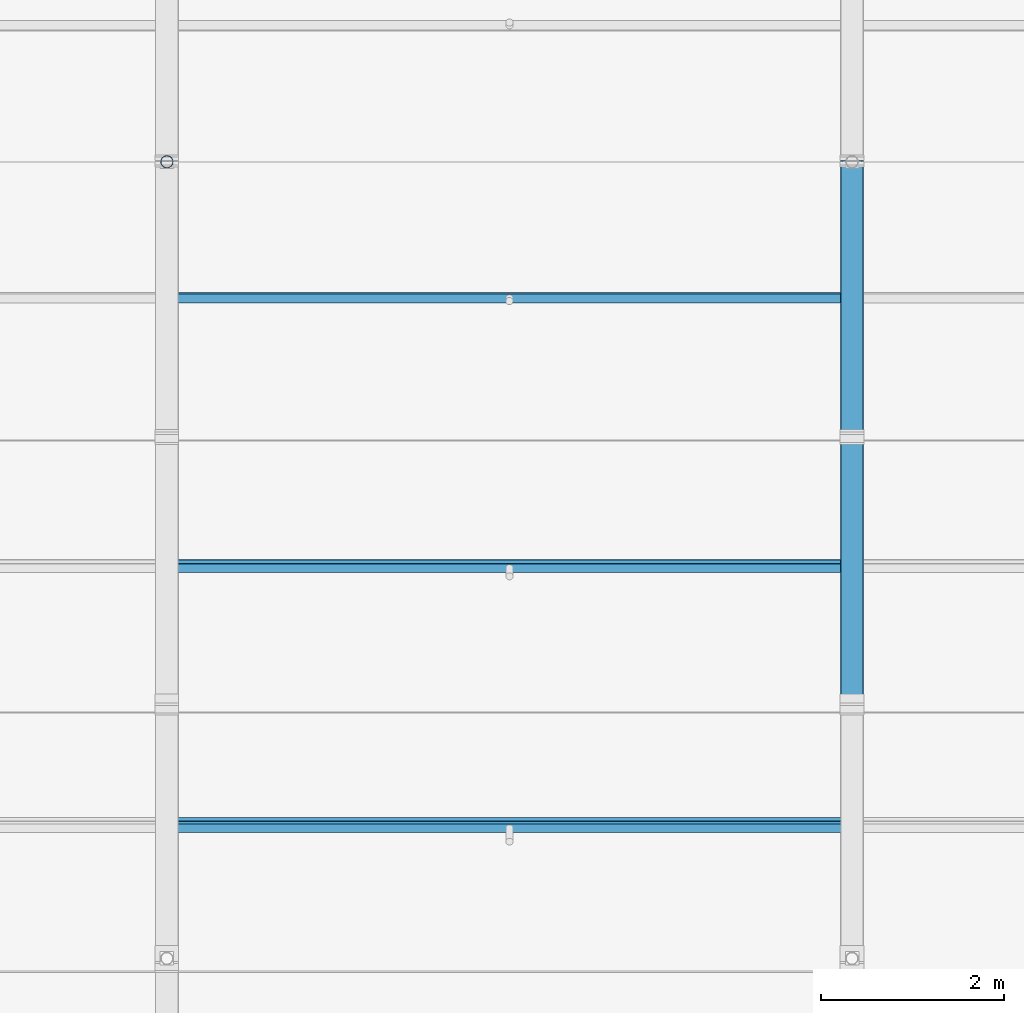
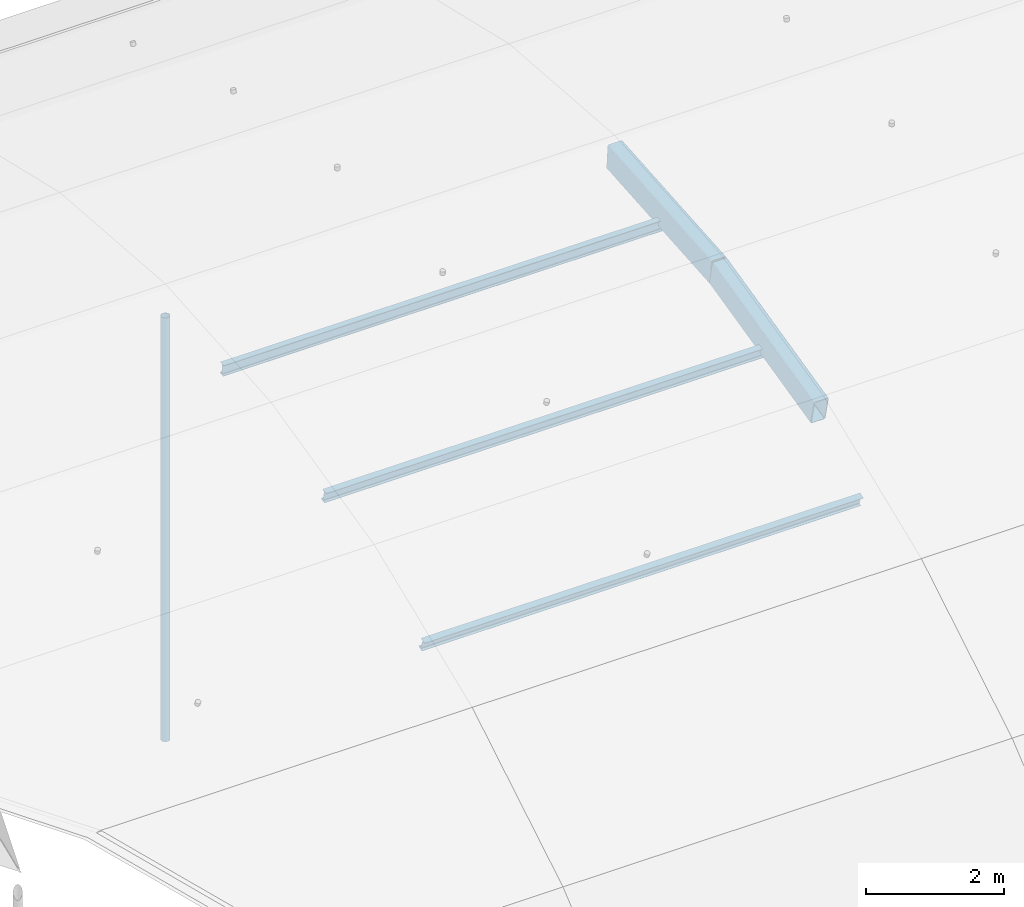
# One storey, part 21 of 77: 4 members, 2 beams.
"""IFC4 building model written with IfcOpenShell, lengths in metres."""

from ifc_helpers import new_model, si_unit, direction, frame, origin, origin_2d, place, context, subcontext, project, spatial, hollow_rectangle, hollow_circle, i_section, extrude, material, material_profile, profile_set, type_object, element, save


model = new_model("IFC4")

# Units and contexts
model_context = context("Model", 3, precision=1e-05, world=origin(), true_north=direction((0.0, 1.0)))
body_context = subcontext(model_context, "Body", "Model", "MODEL_VIEW")
ifc_project = project(units=[si_unit("LENGTHUNIT", "METRE"), si_unit("AREAUNIT", "SQUARE_METRE"), si_unit("VOLUMEUNIT", "CUBIC_METRE"), si_unit("PLANEANGLEUNIT", "RADIAN"), si_unit("MASSUNIT", "GRAM", prefix="KILO")], contexts=[model_context])

# Site, building, storey
site_placement = place(None, origin())
site = spatial("IfcSite", under=ifc_project, at=site_placement, CompositionType="ELEMENT")
building_placement = place(site_placement, origin())
building = spatial("IfcBuilding", under=site, at=building_placement, Name="Yukiwa Park Conservatory and Herbarium", CompositionType="ELEMENT")
storey_placement = place(building_placement, frame((0.0, 0.0, 13.199951171875)))
storey = spatial("IfcBuildingStorey", under=building, at=storey_placement, Name="L03", CompositionType="ELEMENT", Elevation=13.199951171875)

# Beams
ifc_material_1 = material(Name="Steel Q355D", Category="steel")
ifc_material_profile_1 = material_profile(ifc_material_1, hollow_rectangle(XDim=0.25, YDim=0.449951171875, WallThickness=0.013916015625, InnerFilletRadius=0.013916015625, OuterFilletRadius=0.028076171875, at=origin_2d()), Name="RHS 450x250x14")
ifc_profile_set_1 = profile_set([ifc_material_profile_1], Name="Steel Q355D")
beam_type = type_object("IfcBeamType", Name="BM-VLT-ARCH450", PredefinedType="BEAM", material=ifc_profile_set_1)
for number, where, z_axis, x_axis, name in (
    (1, (45.0, 9.668212890625, 2.676025390625), (0.0, 0.973254208946, 0.22973080936), (-1.0, 0.0, 0.0), "Conservatory barrel vault arch rib 7 chord 5"),
    (2, (45.0, 12.598388671875, 3.36767578125), (0.0, 0.997015721433, 0.077198777292), (-1.0, 0.0, 0.0), "Conservatory barrel vault arch rib 7 chord 6"),
):
    element("IfcBeam", number, at=place(storey_placement, frame(where, z_axis=z_axis, x_axis=x_axis)), inside=storey, type_object=beam_type, Name=name, PredefinedType="BEAM", context=body_context, shape_type="SweptSolid", body=[
        extrude(hollow_rectangle(XDim=0.25, YDim=0.449951171875, WallThickness=0.013916015625, InnerFilletRadius=0.013916015625, OuterFilletRadius=0.028076171875, at=origin_2d()), origin(), (0.0, 0.0, 1.0), 3.0107421875),
    ])

# Members
ifc_material_2 = material(Name="Steel Q355D", Category="steel")
ifc_material_profile_2 = material_profile(ifc_material_2, i_section(OverallWidth=0.10009765625, OverallDepth=0.199951171875, WebThickness=0.005615234375, FlangeThickness=0.008056640625, FilletRadius=0.010986328125, at=origin_2d()), Name="HN 200x100x5.5x8")
ifc_profile_set_2 = profile_set([ifc_material_profile_2], Name="Steel Q355D")
member_type_1 = type_object("IfcMemberType", Name="MB-VLT-PURL200", PredefinedType="PURLIN", material=ifc_profile_set_2)
for number, where, z_axis, x_axis, name in (
    (3, (37.5849609375, 8.340087890625, 1.945556640625), (1.0, 0.0, 0.0), (0.0, 0.926282194237, 0.376830594086), "Conservatory vault longitudinal purlin 6.4"),
    (4, (37.5849609375, 11.173583984375, 2.850341796875), (1.0, 0.0, 0.0), (0.0, 0.973249092076, 0.22975248589), "Conservatory vault longitudinal purlin 6.5"),
    (5, (37.5849609375, 14.11279296875, 3.308349609375), (1.0, 0.0, 0.0), (0.0, 0.997015814894, 0.077197570239), "Conservatory vault longitudinal purlin 6.6"),
):
    element("IfcMember", number, at=place(storey_placement, frame(where, z_axis=z_axis, x_axis=x_axis)), inside=storey, type_object=member_type_1, Name=name, PredefinedType="PURLIN", context=body_context, shape_type="SweptSolid", body=[
        extrude(i_section(OverallWidth=0.10009765625, OverallDepth=0.199951171875, WebThickness=0.005615234375, FlangeThickness=0.008056640625, FilletRadius=0.010986328125, at=origin_2d()), origin(), (0.0, 0.0, 1.0), 7.330078125),
    ])
ifc_material_3 = material(Name="Steel Q355D", Category="steel")
ifc_material_profile_3 = material_profile(ifc_material_3, hollow_circle(Radius=0.06982421875, WallThickness=0.008056640625, at=origin_2d()), Name="CHS 139.7x8")
ifc_profile_set_3 = profile_set([ifc_material_profile_3], Name="Steel Q355D")
member_type_2 = type_object("IfcMemberType", Name="MB-VLT-STRUT140", PredefinedType="STRUT", material=ifc_profile_set_3)
member_placement = place(storey_placement, frame((37.5, 15.60009765625, -4.095947265625), z_axis=(0.0, 0.0, 1.0), x_axis=(1.0, 0.0, 0.0)))
element("IfcMember", 6, at=member_placement, inside=storey, type_object=member_type_2, Name="Conservatory vault bowstring hanger 6.6", PredefinedType="STRUT", context=body_context, shape_type="SweptSolid", body=[
    extrude(hollow_circle(Radius=0.06982421875, WallThickness=0.008056640625, at=origin_2d()), origin(), (0.0, 0.0, 1.0), 7.48095703125),
])

save(model, "model.ifc")
